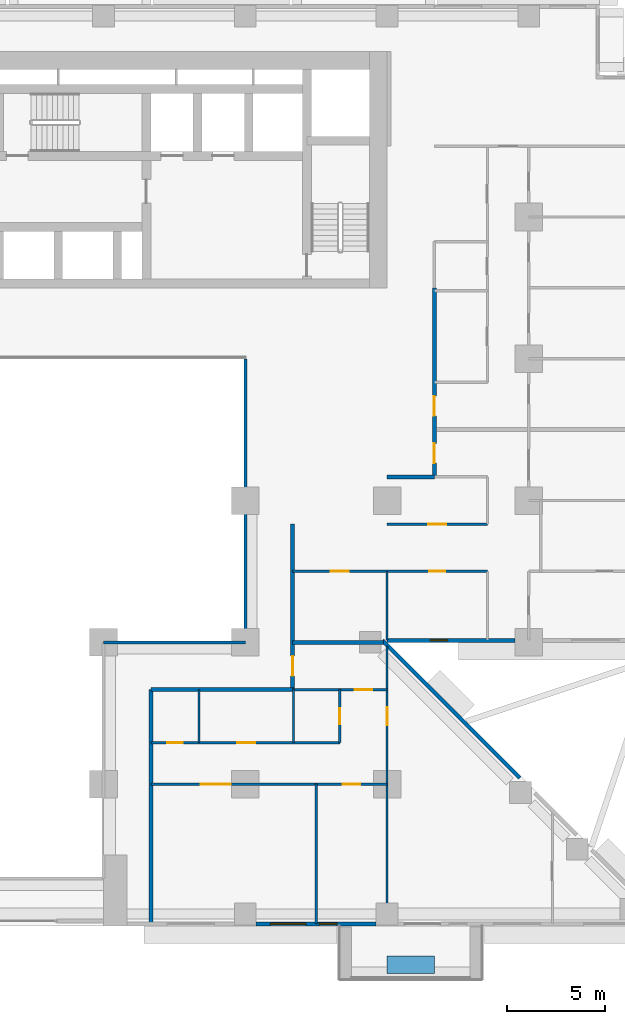
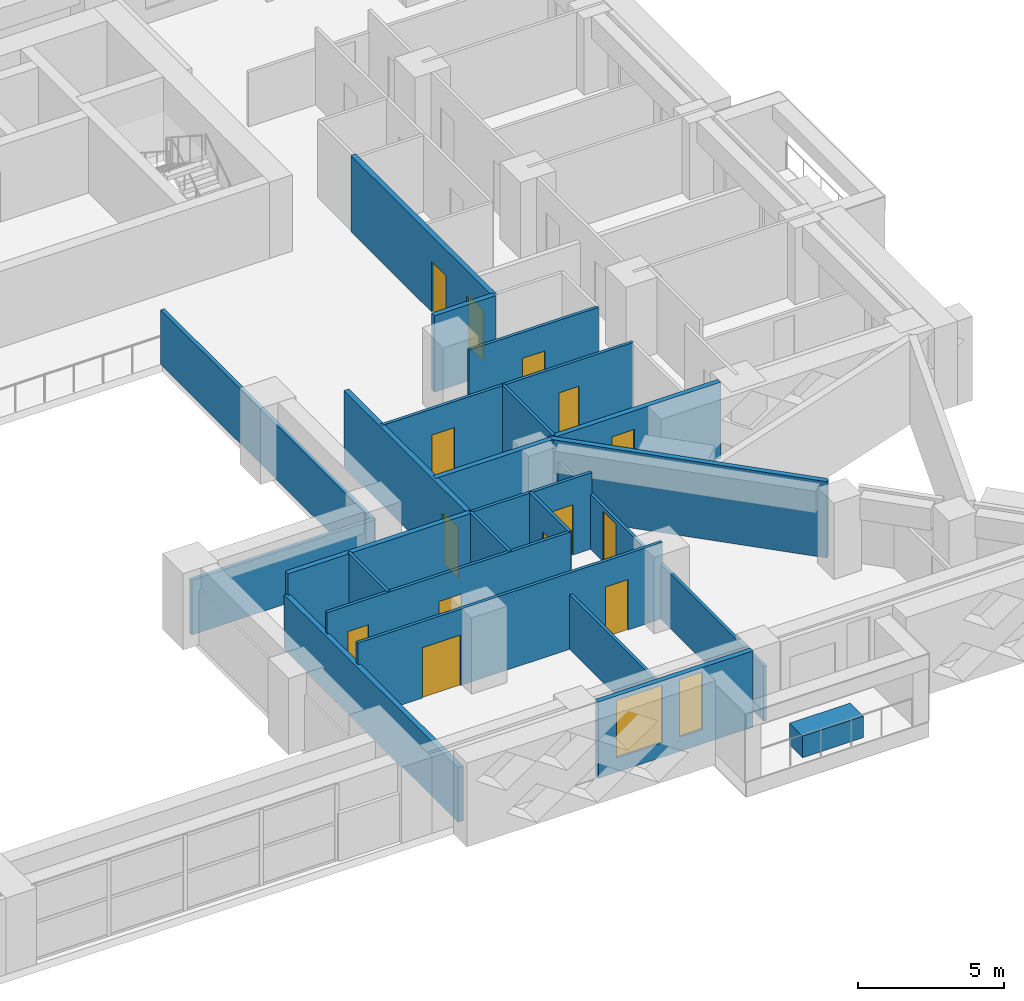
# One storey, part 8 of 16: 23 walls, 13 doors, 3 windows, 16 openings.
"""IFC4 building model written with IfcOpenShell, lengths in metres."""

import ifcopenshell
import ifcopenshell.guid

model = None  # the IFC model being written
_history = None  # IfcOwnerHistory: only IFC2X3 demands one
_inside = {}  # id of a spatial element -> (the spatial element, [elements in it])
_under = {}  # id of a project, library or spatial element -> (it, [spatial elements below it])
_declared = {}  # id of a project -> (the project, [libraries it declares])
_typed = {}  # id of a type object -> (the type object, [elements of that type])
_made_of = {}  # id of a material, layer set ... -> (it, [elements and type objects made of it])


def new_model(schema):
    """Start an empty IFC model of exactly this schema.

    Asked for "IFC4X3", IfcOpenShell would pick the latest addendum, in which some entities
    have other attributes; the version numbers below select the first issue.
    IFC2X3 requires an IfcOwnerHistory on every rooted entity: one is made here for all.
    """
    global model, _history
    if schema == "IFC4X3":
        model = ifcopenshell.file(schema_version=(4, 3, 0, 0))
    else:
        model = ifcopenshell.file(schema=schema)
    _inside.clear()
    _under.clear()
    _declared.clear()
    _typed.clear()
    _made_of.clear()
    _history = None
    if model.schema == "IFC2X3":
        org = make("IfcOrganization", Name="unknown")
        user = make(
            "IfcPersonAndOrganization",
            ThePerson=make("IfcPerson", FamilyName="unknown"),
            TheOrganization=org,
        )
        app = make(
            "IfcApplication",
            ApplicationDeveloper=org,
            Version="unknown",
            ApplicationFullName="unknown",
            ApplicationIdentifier="unknown",
        )
        _history = make(
            "IfcOwnerHistory",
            OwningUser=user,
            OwningApplication=app,
            ChangeAction="ADDED",
            CreationDate=0,
        )
    return model


def make(cls, **values):
    """One entity of the class cls with the attributes given. An attribute that is None is left unset."""
    return model.create_entity(
        cls, **{name: value for name, value in values.items() if value is not None}
    )


def rooted(cls, **values):
    """An entity with a GlobalId (a new one), such as an element, a storey or a relation."""
    return make(cls, GlobalId=ifcopenshell.guid.new(), OwnerHistory=_history, **values)


def si_unit(unit_type, name, prefix=None):
    """IfcSIUnit, for example si_unit("LENGTHUNIT", "METRE", prefix="MILLI")."""
    return make("IfcSIUnit", UnitType=unit_type, Prefix=prefix, Name=name)


def assignment(units):
    """IfcUnitAssignment: the units of a project."""
    return None if units is None else make("IfcUnitAssignment", Units=units)


def point(xyz):
    """IfcCartesianPoint."""
    return None if xyz is None else make("IfcCartesianPoint", Coordinates=xyz)


def direction(xyz):
    """IfcDirection."""
    return None if xyz is None else make("IfcDirection", DirectionRatios=xyz)


def frame(location, z_axis=None, x_axis=None):
    """IfcAxis2Placement3D, a coordinate frame: its origin and axes. An axis left out is left unset."""
    return make(
        "IfcAxis2Placement3D",
        Location=point(location),
        Axis=direction(z_axis),
        RefDirection=direction(x_axis),
    )


def frame_2d(location, x_axis=None):
    """IfcAxis2Placement2D, a coordinate frame in the plane: its origin and x axis."""
    return make(
        "IfcAxis2Placement2D", Location=point(location), RefDirection=direction(x_axis)
    )


def origin():
    """The frame at (0, 0, 0) with its axes left unset."""
    return frame((0.0, 0.0, 0.0))


def place(relative_to, where):
    """IfcLocalPlacement: puts the frame where relative to a parent placement (None: the world)."""
    return make(
        "IfcLocalPlacement", PlacementRelTo=relative_to, RelativePlacement=where
    )


def context(
    kind, dimensions, precision=None, world=None, true_north=None, identifier=None
):
    """IfcGeometricRepresentationContext, for example the 3D "Model" context."""
    return make(
        "IfcGeometricRepresentationContext",
        ContextIdentifier=identifier,
        ContextType=kind,
        CoordinateSpaceDimension=dimensions,
        Precision=precision,
        WorldCoordinateSystem=world,
        TrueNorth=true_north,
    )


def subcontext(parent, identifier, kind, view, scale=None):
    """IfcGeometricRepresentationSubContext, for example "Body" below "Model"."""
    return make(
        "IfcGeometricRepresentationSubContext",
        ContextIdentifier=identifier,
        ContextType=kind,
        ParentContext=parent,
        TargetScale=scale,
        TargetView=view,
    )


def project(units=None, contexts=None):
    """IfcProject with its units and contexts."""
    return rooted(
        "IfcProject",
        Name="project",
        RepresentationContexts=contexts,
        UnitsInContext=assignment(units),
    )


def spatial(cls, under=None, at=None, **own):
    """A site, building, storey or space (cls), placed at a placement, below another one or the project."""
    s = rooted(cls, ObjectPlacement=at, **own)
    if under is not None:
        _under.setdefault(under.id(), (under, []))[1].append(s)
    return s


def profile(cls, at=None, kind="AREA", **sizes):
    """A parametric profile (cls). Its sizes go by their IFC names, for example OverallWidth=200.0."""
    return make(cls, ProfileType=kind, Position=at, **sizes)


def rectangle(**sizes):
    """IfcRectangleProfileDef."""
    return profile("IfcRectangleProfileDef", **sizes)


def extrude(swept, where, along, depth):
    """IfcExtrudedAreaSolid: the profile swept, set in the frame where, extruded along a direction by depth."""
    return make(
        "IfcExtrudedAreaSolid",
        SweptArea=swept,
        Position=where,
        ExtrudedDirection=direction(along),
        Depth=depth,
    )


def shape(context_of_items, identifier, shape_type, items):
    """IfcShapeRepresentation: the items that make up one representation, for example the "Body"."""
    return make(
        "IfcShapeRepresentation",
        ContextOfItems=context_of_items,
        RepresentationIdentifier=identifier,
        RepresentationType=shape_type,
        Items=items,
    )


def material(Name=None, Category=None):
    """IfcMaterial."""
    return make("IfcMaterial", Name=Name, Category=Category)


def layer(
    of_material, thickness, ventilated=None, Name=None, Category=None, Priority=None
):
    """IfcMaterialLayer: one layer of a wall or slab, of a material (None: an air gap)."""
    return make(
        "IfcMaterialLayer",
        Material=of_material,
        LayerThickness=thickness,
        IsVentilated=ventilated,
        Name=Name,
        Category=Category,
        Priority=Priority,
    )


def layer_set(layers, Name=None):
    """IfcMaterialLayerSet."""
    return make("IfcMaterialLayerSet", MaterialLayers=layers, LayerSetName=Name)


def made_of(thing, what):
    """Note that an element or type object is made of a material, layer set ...; save() writes the relation."""
    if what is not None:
        _made_of.setdefault(what.id(), (what, []))[1].append(thing)
    return thing


def type_object(cls, material=None, **own):
    """A type object (cls), such as IfcWallType, which elements share."""
    return made_of(rooted(cls, **own), material)


def element(
    cls,
    number,
    at=None,
    inside=None,
    cuts=None,
    type_object=None,
    material=None,
    context=None,
    identifier="Body",
    shape_type=None,
    held_by="IfcProductDefinitionShape",
    body=None,
    shapes=None,
    **own,
):
    """One element of the class cls, such as IfcWall. Its Tag is "e" and its number.

    at: its placement. inside: the storey or other place that contains it. cuts: it is an
    opening in that element (IfcRelVoidsElement). A single representation is given by context,
    identifier, shape_type and body (its items); several are given by shapes. held_by: the class
    of the entity that holds the representations. save() writes the other relations.
    """
    e = rooted(cls, Tag="e%d" % number, ObjectPlacement=at, **own)
    if body is not None:
        shapes = [shape(context, identifier, shape_type, body)]
    if shapes is not None:
        e.Representation = make(held_by, Representations=shapes)
    if inside is not None:
        _inside.setdefault(inside.id(), (inside, []))[1].append(e)
    if cuts is not None:
        rooted(
            "IfcRelVoidsElement", RelatingBuildingElement=cuts, RelatedOpeningElement=e
        )
    if type_object is not None:
        _typed.setdefault(type_object.id(), (type_object, []))[1].append(e)
    return made_of(e, material)


def fill(opening, filler):
    """IfcRelFillsElement: the door or window that sits in an opening."""
    return rooted(
        "IfcRelFillsElement",
        RelatingOpeningElement=opening,
        RelatedBuildingElement=filler,
    )


def aggregate(whole, parts):
    """IfcRelAggregates: a whole, such as a stair, and the parts it consists of."""
    return rooted("IfcRelAggregates", RelatingObject=whole, RelatedObjects=parts)


def save(model, path):
    """Write the relations noted so far, then the file.

    IfcRelAggregates (storeys below a building ...), IfcRelContainedInSpatialStructure (elements
    in a storey), IfcRelDefinesByType, IfcRelAssociatesMaterial and IfcRelDeclares: one each for
    every whole, place, type object, material and project.
    """
    for whole, parts in _under.values():
        aggregate(whole, parts)
    for where, things in _inside.values():
        rooted(
            "IfcRelContainedInSpatialStructure",
            RelatedElements=things,
            RelatingStructure=where,
        )
    for kind, things in _typed.values():
        rooted("IfcRelDefinesByType", RelatedObjects=things, RelatingType=kind)
    for what, things in _made_of.values():
        rooted("IfcRelAssociatesMaterial", RelatedObjects=things, RelatingMaterial=what)
    for by, libraries in _declared.values():
        rooted("IfcRelDeclares", RelatingContext=by, RelatedDefinitions=libraries)
    model.write(path)


model = new_model("IFC4")

# Units and contexts
model_context = context("Model", 3, precision=1e-05, world=origin(), true_north=direction((0.0, 1.0)))
body_context = subcontext(model_context, "Body", "Model", "MODEL_VIEW")
ifc_project = project(units=[si_unit("LENGTHUNIT", "METRE"), si_unit("AREAUNIT", "SQUARE_METRE"), si_unit("VOLUMEUNIT", "CUBIC_METRE"), si_unit("PLANEANGLEUNIT", "RADIAN"), si_unit("MASSUNIT", "GRAM", prefix="KILO")], contexts=[model_context])

# Site, building, storey
site_placement = place(None, origin())
site = spatial("IfcSite", under=ifc_project, at=site_placement, CompositionType="ELEMENT")
building_placement = place(site_placement, origin())
building = spatial("IfcBuilding", under=site, at=building_placement, Name="Saffron Iwan Residences", CompositionType="ELEMENT")
storey_placement = place(building_placement, frame((0.0, 0.0, 30.5)))
storey = spatial("IfcBuildingStorey", under=building, at=storey_placement, Name="L06", CompositionType="ELEMENT", Elevation=30.5)

# Walls
ifc_material_1 = material(Name="Fire-rated glazing", Category="glass")
ifc_layer_1 = layer(ifc_material_1, 0.14990234375)
ifc_layer_set_1 = layer_set([ifc_layer_1], Name="Fire-rated glazing")
wall_type_1 = type_object("IfcWallType", Name="Atrium glazed screen 150", PredefinedType="SOLIDWALL", material=ifc_layer_set_1)
wall_1_placement = place(storey_placement, frame((57.60009765625, 48.0, 0.0), z_axis=(0.0, 0.0, 1.0), x_axis=(1.0, 0.0, 0.0)))
element("IfcWall", 1, at=wall_1_placement, inside=storey, type_object=wall_type_1, Name="W-L06-SCREEN-h48-57.6", PredefinedType="SOLIDWALL", context=body_context, shape_type="SweptSolid", body=[
    extrude(rectangle(XDim=7.199951171875, YDim=0.14990234375, at=frame_2d((3.60009765625, 0.0))), origin(), (0.0, 0.0, 1.0), 2.280029296875),
])
wall_2_placement = place(storey_placement, frame((64.800048828125, 48.0, 0.0), z_axis=(0.0, 0.0, 1.0), x_axis=(0.0, 1.0, 0.0)))
element("IfcWall", 2, at=wall_2_placement, inside=storey, type_object=wall_type_1, Name="W-L06-SCREEN-v64.8-48", PredefinedType="SOLIDWALL", context=body_context, shape_type="SweptSolid", body=[
    extrude(rectangle(XDim=14.39990234375, YDim=0.14990234375, at=frame_2d((7.199951171875, 0.0))), origin(), (0.0, 0.0, 1.0), 2.280029296875),
])
ifc_material_2 = material(Name="Concrete C35/45 white painted", Category="concrete")
ifc_layer_2 = layer(ifc_material_2, 0.14990234375)
ifc_layer_set_2 = layer_set([ifc_layer_2], Name="Concrete C35/45 white painted")
wall_type_2 = type_object("IfcWallType", Name="BALCONY PLANTER", PredefinedType="SOLIDWALL", material=ifc_layer_set_2)
wall_3_placement = place(storey_placement, frame((72.0, 31.625, 0.0), z_axis=(0.0, 0.0, 1.0), x_axis=(1.0, 0.0, 0.0)))
element("IfcWall", 3, at=wall_3_placement, inside=storey, type_object=wall_type_2, Name="PLANTER L06 11-1", PredefinedType="SOLIDWALL", context=body_context, shape_type="SweptSolid", body=[
    extrude(rectangle(XDim=2.39990234375, YDim=0.89990234375, at=frame_2d((1.199951171875, 0.0))), origin(), (0.0, 0.0, 1.0), 0.89990234375),
])
ifc_material_3 = material(Name="Concrete C40/50", Category="concrete")
ifc_layer_3 = layer(ifc_material_3, 0.199951171875)
ifc_layer_set_3 = layer_set([ifc_layer_3], Name="Concrete C40/50")
wall_type_3 = type_object("IfcWallType", Name="EXTERNAL WALL 200", PredefinedType="SOLIDWALL", material=ifc_layer_set_3)
wall_4_placement = place(storey_placement, frame((78.740478515625, 41.1181640625, 0.0), z_axis=(0.0, 0.0, 1.0), x_axis=(-0.707106781187, 0.707106781187, 0.0)))
element("IfcWall", 4, at=wall_4_placement, inside=storey, type_object=wall_type_3, Name="External wall L06 F0.2", PredefinedType="SOLIDWALL", context=body_context, shape_type="SweptSolid", body=[
    extrude(rectangle(XDim=9.8740234375, YDim=0.199951171875, at=frame_2d((4.93701171875, 0.0))), origin(), (0.0, 0.0, 1.0), 3.179931640625),
])

# Wall, opening, window
wall_5_placement = place(storey_placement, frame((71.988525390625, 48.10009765625, 0.0), z_axis=(0.0, 0.0, 1.0), x_axis=(1.0, 0.0, 0.0)))
wall_5 = element("IfcWall", 5, at=wall_5_placement, inside=storey, type_object=wall_type_3, Name="External wall L06 F1.0", PredefinedType="SOLIDWALL", context=body_context, shape_type="SweptSolid", body=[
    extrude(rectangle(XDim=6.511474609375, YDim=0.199951171875, at=frame_2d((3.255859375, 0.0))), origin(), (0.0, 0.0, 1.0), 3.179931640625),
])
opening_1_placement = place(wall_5_placement, frame((2.205810546875, 0.0, 1.5)))
opening_1 = element("IfcOpeningElement", 6, at=opening_1_placement, cuts=wall_5, Name="Opening W6", PredefinedType="OPENING", context=body_context, shape_type="SweptSolid", body=[
    extrude(rectangle(XDim=0.89990234375, YDim=0.89990234375, at=frame_2d((0.449951171875, 0.449951171875))), frame((0.0, 0.10986328125, 0.0), z_axis=(0.0, -1.0, 0.0), x_axis=(1.0, 0.0, 0.0)), (0.0, 0.0, 1.0), 0.219970703125),
])
ifc_material_4 = material(Name="Clear glass, laminated double glazed", Category="glass")
window_type_1 = type_object("IfcWindowType", Name="WINDOW 900 x 900 BATH", PartitioningType="SINGLE_PANEL", PredefinedType="WINDOW", material=ifc_material_4)
window_1_placement = place(opening_1_placement, origin())
window_1 = element("IfcWindow", 7, at=window_1_placement, inside=storey, type_object=window_type_1, Name="Window L06 F1.0", OverallHeight=0.89990234375, OverallWidth=0.89990234375, PartitioningType="SINGLE_PANEL", PredefinedType="WINDOW", context=body_context, shape_type="SweptSolid", body=[
    extrude(rectangle(XDim=0.89990234375, YDim=0.89990234375, at=frame_2d((0.449951171875, 0.449951171875))), frame((0.0, 0.030029296875, 0.0), z_axis=(0.0, -1.0, 0.0), x_axis=(1.0, 0.0, 0.0)), (0.0, 0.0, 1.0), 0.06005859375),
])
fill(opening_1, window_1)

# Wall, openings, windows
wall_6_placement = place(storey_placement, frame((65.35009765625, 33.699951171875, 0.0), z_axis=(0.0, 0.0, 1.0), x_axis=(1.0, 0.0, 0.0)))
wall_6 = element("IfcWall", 8, at=wall_6_placement, inside=storey, type_object=wall_type_3, Name="External wall L06 F11.5", PredefinedType="SOLIDWALL", context=body_context, shape_type="SweptSolid", body=[
    extrude(rectangle(XDim=6.099853515625, YDim=0.199951171875, at=frame_2d((3.0498046875, 0.0))), origin(), (0.0, 0.0, 1.0), 3.179931640625),
])
opening_2_placement = place(wall_6_placement, frame((3.199951171875, 0.0, 0.60009765625)))
opening_2 = element("IfcOpeningElement", 9, at=opening_2_placement, cuts=wall_6, Name="Opening W10", PredefinedType="OPENING", context=body_context, shape_type="SweptSolid", body=[
    extrude(rectangle(XDim=0.89990234375, YDim=2.39990234375, at=frame_2d((0.449951171875, 1.199951171875))), frame((0.0, 0.10986328125, 0.0), z_axis=(0.0, -1.0, 0.0), x_axis=(1.0, 0.0, 0.0)), (0.0, 0.0, 1.0), 0.219970703125),
])
opening_3_placement = place(wall_6_placement, frame((0.72509765625, 0.0, 0.60009765625)))
opening_3 = element("IfcOpeningElement", 10, at=opening_3_placement, cuts=wall_6, Name="Opening W8", PredefinedType="OPENING", context=body_context, shape_type="SweptSolid", body=[
    extrude(rectangle(XDim=1.800048828125, YDim=2.39990234375, at=frame_2d((0.89990234375, 1.199951171875))), frame((0.0, 0.10986328125, 0.0), z_axis=(0.0, -1.0, 0.0), x_axis=(1.0, 0.0, 0.0)), (0.0, 0.0, 1.0), 0.219970703125),
])
window_type_2 = type_object("IfcWindowType", Name="WINDOW 1800 x 2400", PartitioningType="DOUBLE_PANEL_VERTICAL", PredefinedType="WINDOW", material=ifc_material_4)
window_2_placement = place(opening_3_placement, origin())
window_2 = element("IfcWindow", 11, at=window_2_placement, inside=storey, type_object=window_type_2, Name="Window L06 F11.1", OverallHeight=2.39990234375, OverallWidth=1.800048828125, PartitioningType="DOUBLE_PANEL_VERTICAL", PredefinedType="WINDOW", context=body_context, shape_type="SweptSolid", body=[
    extrude(rectangle(XDim=1.800048828125, YDim=2.39990234375, at=frame_2d((0.89990234375, 1.199951171875))), frame((0.0, 0.030029296875, 0.0), z_axis=(0.0, -1.0, 0.0), x_axis=(1.0, 0.0, 0.0)), (0.0, 0.0, 1.0), 0.06005859375),
])
fill(opening_3, window_2)
window_type_3 = type_object("IfcWindowType", Name="WINDOW 900 x 2400", PartitioningType="SINGLE_PANEL", PredefinedType="WINDOW", material=ifc_material_4)
window_3_placement = place(opening_2_placement, origin())
window_3 = element("IfcWindow", 12, at=window_3_placement, inside=storey, type_object=window_type_3, Name="Window L06 F11.0", OverallHeight=2.39990234375, OverallWidth=0.89990234375, PartitioningType="SINGLE_PANEL", PredefinedType="WINDOW", context=body_context, shape_type="SweptSolid", body=[
    extrude(rectangle(XDim=0.89990234375, YDim=2.39990234375, at=frame_2d((0.449951171875, 1.199951171875))), frame((0.0, 0.030029296875, 0.0), z_axis=(0.0, -1.0, 0.0), x_axis=(1.0, 0.0, 0.0)), (0.0, 0.0, 1.0), 0.06005859375),
])
fill(opening_2, window_3)

# Wall
ifc_material_5 = material(Name="Fire-rated gypsum board wall")
ifc_layer_4 = layer(ifc_material_5, 0.199951171875)
ifc_layer_set_4 = layer_set([ifc_layer_4], Name="Fire-rated gypsum board wall")
wall_type_4 = type_object("IfcWallType", Name="Flat demising wall 200", PredefinedType="SOLIDWALL", material=ifc_layer_set_4)
wall_7_placement = place(storey_placement, frame((67.199951171875, 48.0, 0.0), z_axis=(0.0, 0.0, 1.0), x_axis=(1.0, 0.0, 0.0)))
element("IfcWall", 13, at=wall_7_placement, inside=storey, type_object=wall_type_4, Name="W-L06-DEMISE-h48-67.2", PredefinedType="SOLIDWALL", context=body_context, shape_type="SweptSolid", body=[
    extrude(rectangle(XDim=4.623046875, YDim=0.199951171875, at=frame_2d((2.3115234375, 0.0))), origin(), (0.0, 0.0, 1.0), 3.179931640625),
])

# Wall, openings, doors
ifc_material_6 = material(Name="Gypsum board partition")
ifc_layer_5 = layer(ifc_material_6, 0.1201171875)
ifc_layer_set_5 = layer_set([ifc_layer_5], Name="Gypsum board partition")
wall_type_5 = type_object("IfcWallType", Name="Flat partition 120", PredefinedType="PARTITIONING", material=ifc_layer_set_5)
wall_8_placement = place(storey_placement, frame((60.0, 40.800048828125, 0.0), z_axis=(0.0, 0.0, 1.0), x_axis=(1.0, 0.0, 0.0)))
wall_8 = element("IfcWall", 14, at=wall_8_placement, inside=storey, type_object=wall_type_5, Name="W-L06-PART-h40.8-60", PredefinedType="PARTITIONING", context=body_context, shape_type="SweptSolid", body=[
    extrude(rectangle(XDim=12.0, YDim=0.1201171875, at=frame_2d((6.0, 0.0))), origin(), (0.0, 0.0, 1.0), 3.179931640625),
])
opening_4_placement = place(wall_8_placement, frame((9.75, 0.0, 0.0)))
opening_4 = element("IfcOpeningElement", 15, at=opening_4_placement, cuts=wall_8, Name="Opening FD2", PredefinedType="OPENING", context=body_context, shape_type="SweptSolid", body=[
    extrude(rectangle(XDim=0.89990234375, YDim=2.10009765625, at=frame_2d((0.449951171875, 1.050048828125))), frame((0.0, 0.070068359375, 0.0), z_axis=(0.0, -1.0, 0.0), x_axis=(1.0, 0.0, 0.0)), (0.0, 0.0, 1.0), 0.14013671875),
])
opening_5_placement = place(wall_8_placement, frame((2.550048828125, 0.0, 0.0)))
opening_5 = element("IfcOpeningElement", 16, at=opening_5_placement, cuts=wall_8, Name="Opening FD4", PredefinedType="OPENING", context=body_context, shape_type="SweptSolid", body=[
    extrude(rectangle(XDim=1.5, YDim=2.10009765625, at=frame_2d((0.75, 1.050048828125))), frame((0.0, 0.070068359375, 0.0), z_axis=(0.0, -1.0, 0.0), x_axis=(1.0, 0.0, 0.0)), (0.0, 0.0, 1.0), 0.14013671875),
])
ifc_material_7 = material(Name="Timber door", Category="wood")
door_type_1 = type_object("IfcDoorType", Name="Double door 1500", OperationType="NOTDEFINED", PredefinedType="DOOR", material=ifc_material_7)
door_1_placement = place(opening_5_placement, origin())
door_1 = element("IfcDoor", 17, at=door_1_placement, inside=storey, type_object=door_type_1, Name="Door L06-047", OperationType="SINGLE_SWING_RIGHT", OverallHeight=2.10009765625, OverallWidth=1.5, PredefinedType="DOOR", context=body_context, shape_type="SweptSolid", body=[
    extrude(rectangle(XDim=1.5, YDim=2.10009765625, at=frame_2d((0.75, 1.050048828125))), frame((0.0, 0.02490234375, 0.0), z_axis=(0.0, -1.0, 0.0), x_axis=(1.0, 0.0, 0.0)), (0.0, 0.0, 1.0), 0.050048828125),
])
fill(opening_5, door_1)
door_type_2 = type_object("IfcDoorType", Name="Flat door 900", OperationType="NOTDEFINED", PredefinedType="DOOR", material=ifc_material_7)
door_2_placement = place(opening_4_placement, origin())
door_2 = element("IfcDoor", 18, at=door_2_placement, inside=storey, type_object=door_type_2, Name="Door L06-046", OperationType="SINGLE_SWING_RIGHT", OverallHeight=2.10009765625, OverallWidth=0.89990234375, PredefinedType="DOOR", context=body_context, shape_type="SweptSolid", body=[
    extrude(rectangle(XDim=0.89990234375, YDim=2.10009765625, at=frame_2d((0.449951171875, 1.050048828125))), frame((0.0, 0.02490234375, 0.0), z_axis=(0.0, -1.0, 0.0), x_axis=(1.0, 0.0, 0.0)), (0.0, 0.0, 1.0), 0.050048828125),
])
fill(opening_4, door_2)

wall_9_placement = place(storey_placement, frame((60.0, 42.89990234375, 0.0), z_axis=(0.0, 0.0, 1.0), x_axis=(1.0, 0.0, 0.0)))
wall_9 = element("IfcWall", 19, at=wall_9_placement, inside=storey, type_object=wall_type_5, Name="W-L06-PART-h42.9-60", PredefinedType="PARTITIONING", context=body_context, shape_type="SweptSolid", body=[
    extrude(rectangle(XDim=9.60009765625, YDim=0.1201171875, at=frame_2d((4.800048828125, 0.0))), origin(), (0.0, 0.0, 1.0), 3.179931640625),
])
opening_6_placement = place(wall_9_placement, frame((4.39990234375, 0.0, 0.0)))
opening_6 = element("IfcOpeningElement", 20, at=opening_6_placement, cuts=wall_9, Name="Opening FD2", PredefinedType="OPENING", context=body_context, shape_type="SweptSolid", body=[
    extrude(rectangle(XDim=0.89990234375, YDim=2.10009765625, at=frame_2d((0.449951171875, 1.050048828125))), frame((0.0, 0.070068359375, 0.0), z_axis=(0.0, -1.0, 0.0), x_axis=(1.0, 0.0, 0.0)), (0.0, 0.0, 1.0), 0.14013671875),
])
opening_7_placement = place(wall_9_placement, frame((0.824951171875, 0.0, 0.0)))
opening_7 = element("IfcOpeningElement", 21, at=opening_7_placement, cuts=wall_9, Name="Opening FD3", PredefinedType="OPENING", context=body_context, shape_type="SweptSolid", body=[
    extrude(rectangle(XDim=0.800048828125, YDim=2.10009765625, at=frame_2d((0.39990234375, 1.050048828125))), frame((0.0, 0.070068359375, 0.0), z_axis=(0.0, -1.0, 0.0), x_axis=(1.0, 0.0, 0.0)), (0.0, 0.0, 1.0), 0.14013671875),
])
door_type_3 = type_object("IfcDoorType", Name="Bathroom door 800", OperationType="NOTDEFINED", PredefinedType="DOOR", material=ifc_material_7)
door_3_placement = place(opening_7_placement, origin())
door_3 = element("IfcDoor", 22, at=door_3_placement, inside=storey, type_object=door_type_3, Name="Door L06-050", OperationType="SINGLE_SWING_LEFT", OverallHeight=2.10009765625, OverallWidth=0.800048828125, PredefinedType="DOOR", context=body_context, shape_type="SweptSolid", body=[
    extrude(rectangle(XDim=0.800048828125, YDim=2.10009765625, at=frame_2d((0.39990234375, 1.050048828125))), frame((0.0, 0.02490234375, 0.0), z_axis=(0.0, -1.0, 0.0), x_axis=(1.0, 0.0, 0.0)), (0.0, 0.0, 1.0), 0.050048828125),
])
fill(opening_7, door_3)
door_4_placement = place(opening_6_placement, origin())
door_4 = element("IfcDoor", 23, at=door_4_placement, inside=storey, type_object=door_type_2, Name="Door L06-049", OperationType="SINGLE_SWING_RIGHT", OverallHeight=2.10009765625, OverallWidth=0.89990234375, PredefinedType="DOOR", context=body_context, shape_type="SweptSolid", body=[
    extrude(rectangle(XDim=0.89990234375, YDim=2.10009765625, at=frame_2d((0.449951171875, 1.050048828125))), frame((0.0, 0.02490234375, 0.0), z_axis=(0.0, -1.0, 0.0), x_axis=(1.0, 0.0, 0.0)), (0.0, 0.0, 1.0), 0.050048828125),
])
fill(opening_6, door_4)

# Wall, opening, door
wall_10_placement = place(storey_placement, frame((67.199951171875, 45.60009765625, 0.0), z_axis=(0.0, 0.0, 1.0), x_axis=(1.0, 0.0, 0.0)))
wall_10 = element("IfcWall", 24, at=wall_10_placement, inside=storey, type_object=wall_type_5, Name="W-L06-PART-h45.6-67.2", PredefinedType="PARTITIONING", context=body_context, shape_type="SweptSolid", body=[
    extrude(rectangle(XDim=4.800048828125, YDim=0.1201171875, at=frame_2d((2.39990234375, 0.0))), origin(), (0.0, 0.0, 1.0), 3.179931640625),
])
opening_8_placement = place(wall_10_placement, frame((3.14990234375, 0.0, 0.0)))
opening_8 = element("IfcOpeningElement", 25, at=opening_8_placement, cuts=wall_10, Name="Opening FD2", PredefinedType="OPENING", context=body_context, shape_type="SweptSolid", body=[
    extrude(rectangle(XDim=0.89990234375, YDim=2.10009765625, at=frame_2d((0.449951171875, 1.050048828125))), frame((0.0, 0.070068359375, 0.0), z_axis=(0.0, -1.0, 0.0), x_axis=(1.0, 0.0, 0.0)), (0.0, 0.0, 1.0), 0.14013671875),
])
door_5_placement = place(opening_8_placement, origin())
door_5 = element("IfcDoor", 26, at=door_5_placement, inside=storey, type_object=door_type_2, Name="Door L06-044", OperationType="SINGLE_SWING_LEFT", OverallHeight=2.10009765625, OverallWidth=0.89990234375, PredefinedType="DOOR", context=body_context, shape_type="SweptSolid", body=[
    extrude(rectangle(XDim=0.89990234375, YDim=2.10009765625, at=frame_2d((0.449951171875, 1.050048828125))), frame((0.0, 0.02490234375, 0.0), z_axis=(0.0, -1.0, 0.0), x_axis=(1.0, 0.0, 0.0)), (0.0, 0.0, 1.0), 0.050048828125),
])
fill(opening_8, door_5)

# Wall, openings, doors
wall_11_placement = place(storey_placement, frame((67.199951171875, 51.60009765625, 0.0), z_axis=(0.0, 0.0, 1.0), x_axis=(1.0, 0.0, 0.0)))
wall_11 = element("IfcWall", 27, at=wall_11_placement, inside=storey, type_object=wall_type_5, Name="W-L06-PART-h51.6-67.2", PredefinedType="PARTITIONING", context=body_context, shape_type="SweptSolid", body=[
    extrude(rectangle(XDim=9.900146484375, YDim=0.1201171875, at=frame_2d((4.9501953125, 0.0))), origin(), (0.0, 0.0, 1.0), 3.179931640625),
])
opening_9_placement = place(wall_11_placement, frame((6.949951171875, 0.0, 0.0)))
opening_9 = element("IfcOpeningElement", 28, at=opening_9_placement, cuts=wall_11, Name="Opening FD3", PredefinedType="OPENING", context=body_context, shape_type="SweptSolid", body=[
    extrude(rectangle(XDim=0.800048828125, YDim=2.10009765625, at=frame_2d((0.39990234375, 1.050048828125))), frame((0.0, 0.070068359375, 0.0), z_axis=(0.0, -1.0, 0.0), x_axis=(1.0, 0.0, 0.0)), (0.0, 0.0, 1.0), 0.14013671875),
])
opening_10_placement = place(wall_11_placement, frame((1.949951171875, 0.0, 0.0)))
opening_10 = element("IfcOpeningElement", 29, at=opening_10_placement, cuts=wall_11, Name="Opening FD2", PredefinedType="OPENING", context=body_context, shape_type="SweptSolid", body=[
    extrude(rectangle(XDim=0.89990234375, YDim=2.10009765625, at=frame_2d((0.449951171875, 1.050048828125))), frame((0.0, 0.070068359375, 0.0), z_axis=(0.0, -1.0, 0.0), x_axis=(1.0, 0.0, 0.0)), (0.0, 0.0, 1.0), 0.14013671875),
])
door_6_placement = place(opening_9_placement, origin())
door_6 = element("IfcDoor", 30, at=door_6_placement, inside=storey, type_object=door_type_3, Name="Door L06-025", OperationType="SINGLE_SWING_RIGHT", OverallHeight=2.10009765625, OverallWidth=0.800048828125, PredefinedType="DOOR", context=body_context, shape_type="SweptSolid", body=[
    extrude(rectangle(XDim=0.800048828125, YDim=2.10009765625, at=frame_2d((0.39990234375, 1.050048828125))), frame((0.0, 0.02490234375, 0.0), z_axis=(0.0, -1.0, 0.0), x_axis=(1.0, 0.0, 0.0)), (0.0, 0.0, 1.0), 0.050048828125),
])
fill(opening_9, door_6)
door_7_placement = place(opening_10_placement, origin())
door_7 = element("IfcDoor", 31, at=door_7_placement, inside=storey, type_object=door_type_2, Name="Door L06-027", OperationType="SINGLE_SWING_LEFT", OverallHeight=2.10009765625, OverallWidth=0.89990234375, PredefinedType="DOOR", context=body_context, shape_type="SweptSolid", body=[
    extrude(rectangle(XDim=0.89990234375, YDim=2.10009765625, at=frame_2d((0.449951171875, 1.050048828125))), frame((0.0, 0.02490234375, 0.0), z_axis=(0.0, -1.0, 0.0), x_axis=(1.0, 0.0, 0.0)), (0.0, 0.0, 1.0), 0.050048828125),
])
fill(opening_10, door_7)

# Wall, opening, door
wall_12_placement = place(storey_placement, frame((72.0, 54.0, 0.0), z_axis=(0.0, 0.0, 1.0), x_axis=(1.0, 0.0, 0.0)))
wall_12 = element("IfcWall", 32, at=wall_12_placement, inside=storey, type_object=wall_type_5, Name="W-L06-PART-h54-72", PredefinedType="PARTITIONING", context=body_context, shape_type="SweptSolid", body=[
    extrude(rectangle(XDim=5.10009765625, YDim=0.1201171875, at=frame_2d((2.550048828125, 0.0))), origin(), (0.0, 0.0, 1.0), 3.179931640625),
])
opening_11_placement = place(wall_12_placement, frame((2.10009765625, 0.0, 0.0)))
opening_11 = element("IfcOpeningElement", 33, at=opening_11_placement, cuts=wall_12, Name="Opening FD2", PredefinedType="OPENING", context=body_context, shape_type="SweptSolid", body=[
    extrude(rectangle(XDim=0.89990234375, YDim=2.10009765625, at=frame_2d((0.449951171875, 1.050048828125))), frame((0.0, 0.070068359375, 0.0), z_axis=(0.0, -1.0, 0.0), x_axis=(1.0, 0.0, 0.0)), (0.0, 0.0, 1.0), 0.14013671875),
])
door_8_placement = place(opening_11_placement, origin())
door_8 = element("IfcDoor", 34, at=door_8_placement, inside=storey, type_object=door_type_2, Name="Door L06-026", OperationType="SINGLE_SWING_LEFT", OverallHeight=2.10009765625, OverallWidth=0.89990234375, PredefinedType="DOOR", context=body_context, shape_type="SweptSolid", body=[
    extrude(rectangle(XDim=0.89990234375, YDim=2.10009765625, at=frame_2d((0.449951171875, 1.050048828125))), frame((0.0, 0.02490234375, 0.0), z_axis=(0.0, -1.0, 0.0), x_axis=(1.0, 0.0, 0.0)), (0.0, 0.0, 1.0), 0.050048828125),
])
fill(opening_11, door_8)

# Walls
for number, where, z_axis, x_axis, name in (
    (35, (62.449951171875, 42.89990234375, 0.0), (0.0, 0.0, 1.0), (0.0, 1.0, 0.0), "W-L06-PART-v62.45-42.9"),
    (36, (67.25, 42.89990234375, 0.0), (0.0, 0.0, 1.0), (0.0, 1.0, 0.0), "W-L06-PART-v67.25-42.9"),
):
    element("IfcWall", number, at=place(storey_placement, frame(where, z_axis=z_axis, x_axis=x_axis)), inside=storey, type_object=wall_type_5, Name=name, PredefinedType="PARTITIONING", context=body_context, shape_type="SweptSolid", body=[
        extrude(rectangle(XDim=2.7001953125, YDim=0.1201171875, at=frame_2d((1.35009765625, 0.0))), origin(), (0.0, 0.0, 1.0), 3.179931640625),
    ])
wall_13_placement = place(storey_placement, frame((68.39990234375, 33.72509765625, 0.0), z_axis=(0.0, 0.0, 1.0), x_axis=(0.0, 1.0, 0.0)))
element("IfcWall", 37, at=wall_13_placement, inside=storey, type_object=wall_type_5, Name="W-L06-PART-v68.4-33.725", PredefinedType="PARTITIONING", context=body_context, shape_type="SweptSolid", body=[
    extrude(rectangle(XDim=7.074951171875, YDim=0.1201171875, at=frame_2d((3.53759765625, 0.0))), origin(), (0.0, 0.0, 1.0), 2.280029296875),
])

# Wall, opening, door
wall_14_placement = place(storey_placement, frame((69.60009765625, 42.89990234375, 0.0), z_axis=(0.0, 0.0, 1.0), x_axis=(0.0, 1.0, 0.0)))
wall_14 = element("IfcWall", 38, at=wall_14_placement, inside=storey, type_object=wall_type_5, Name="W-L06-PART-v69.6-42.9", PredefinedType="PARTITIONING", context=body_context, shape_type="SweptSolid", body=[
    extrude(rectangle(XDim=2.7001953125, YDim=0.1201171875, at=frame_2d((1.35009765625, 0.0))), origin(), (0.0, 0.0, 1.0), 3.179931640625),
])
opening_12_placement = place(wall_14_placement, frame((0.949951171875, 0.0, 0.0)))
opening_12 = element("IfcOpeningElement", 39, at=opening_12_placement, cuts=wall_14, Name="Opening FD3", PredefinedType="OPENING", context=body_context, shape_type="SweptSolid", body=[
    extrude(rectangle(XDim=0.800048828125, YDim=2.10009765625, at=frame_2d((0.39990234375, 1.050048828125))), frame((0.0, 0.070068359375, 0.0), z_axis=(0.0, -1.0, 0.0), x_axis=(1.0, 0.0, 0.0)), (0.0, 0.0, 1.0), 0.14013671875),
])
door_9_placement = place(opening_12_placement, origin())
door_9 = element("IfcDoor", 40, at=door_9_placement, inside=storey, type_object=door_type_3, Name="Door L06-048", OperationType="SINGLE_SWING_LEFT", OverallHeight=2.10009765625, OverallWidth=0.800048828125, PredefinedType="DOOR", context=body_context, shape_type="SweptSolid", body=[
    extrude(rectangle(XDim=0.800048828125, YDim=2.10009765625, at=frame_2d((0.39990234375, 1.050048828125))), frame((0.0, 0.02490234375, 0.0), z_axis=(0.0, -1.0, 0.0), x_axis=(1.0, 0.0, 0.0)), (0.0, 0.0, 1.0), 0.050048828125),
])
fill(opening_12, door_9)

wall_15_placement = place(storey_placement, frame((72.0, 33.72509765625, 0.0), z_axis=(0.0, 0.0, 1.0), x_axis=(0.0, 1.0, 0.0)))
wall_15 = element("IfcWall", 41, at=wall_15_placement, inside=storey, type_object=wall_type_5, Name="W-L06-PART-v72-33.725", PredefinedType="PARTITIONING", context=body_context, shape_type="SweptSolid", body=[
    extrude(rectangle(XDim=14.097900390625, YDim=0.1201171875, at=frame_2d((7.048828125, 0.0))), origin(), (0.0, 0.0, 1.0), 2.280029296875),
])
opening_13_placement = place(wall_15_placement, frame((10.074951171875, 0.0, 0.0)))
opening_13 = element("IfcOpeningElement", 42, at=opening_13_placement, cuts=wall_15, Name="Opening FD2", PredefinedType="OPENING", context=body_context, shape_type="SweptSolid", body=[
    extrude(rectangle(XDim=0.89990234375, YDim=2.10009765625, at=frame_2d((0.449951171875, 1.050048828125))), frame((0.0, 0.070068359375, 0.0), z_axis=(0.0, -1.0, 0.0), x_axis=(1.0, 0.0, 0.0)), (0.0, 0.0, 1.0), 0.14013671875),
])
door_10_placement = place(opening_13_placement, origin())
door_10 = element("IfcDoor", 43, at=door_10_placement, inside=storey, type_object=door_type_2, Name="Door L06-051", OperationType="SINGLE_SWING_LEFT", OverallHeight=2.10009765625, OverallWidth=0.89990234375, PredefinedType="DOOR", context=body_context, shape_type="SweptSolid", body=[
    extrude(rectangle(XDim=0.89990234375, YDim=2.10009765625, at=frame_2d((0.449951171875, 1.050048828125))), frame((0.0, 0.02490234375, 0.0), z_axis=(0.0, -1.0, 0.0), x_axis=(1.0, 0.0, 0.0)), (0.0, 0.0, 1.0), 0.050048828125),
])
fill(opening_13, door_10)

# Walls
wall_16_placement = place(storey_placement, frame((72.0, 48.125, 0.0), z_axis=(0.0, 0.0, 1.0), x_axis=(0.0, 1.0, 0.0)))
element("IfcWall", 44, at=wall_16_placement, inside=storey, type_object=wall_type_5, Name="W-L06-PART-v72-48.125", PredefinedType="PARTITIONING", context=body_context, shape_type="SweptSolid", body=[
    extrude(rectangle(XDim=3.47509765625, YDim=0.1201171875, at=frame_2d((1.737548828125, 0.0))), origin(), (0.0, 0.0, 1.0), 3.179931640625),
])
ifc_layer_6 = layer(ifc_material_5, 0.199951171875)
ifc_layer_set_6 = layer_set([ifc_layer_6], Name="Fire-rated gypsum board wall")
wall_type_6 = type_object("IfcWallType", Name="Gallery wall 200", PredefinedType="SOLIDWALL", material=ifc_layer_set_6)
wall_17_placement = place(storey_placement, frame((60.0, 45.60009765625, 0.0), z_axis=(0.0, 0.0, 1.0), x_axis=(1.0, 0.0, 0.0)))
element("IfcWall", 45, at=wall_17_placement, inside=storey, type_object=wall_type_6, Name="W-L06-CORR-h45.6-60", PredefinedType="SOLIDWALL", context=body_context, shape_type="SweptSolid", body=[
    extrude(rectangle(XDim=7.25, YDim=0.199951171875, at=frame_2d((3.625, 0.0))), origin(), (0.0, 0.0, 1.0), 3.179931640625),
])
wall_18_placement = place(storey_placement, frame((72.0, 56.39990234375, 0.0), z_axis=(0.0, 0.0, 1.0), x_axis=(1.0, 0.0, 0.0)))
element("IfcWall", 46, at=wall_18_placement, inside=storey, type_object=wall_type_6, Name="W-L06-CORR-h56.4-72", PredefinedType="SOLIDWALL", context=body_context, shape_type="SweptSolid", body=[
    extrude(rectangle(XDim=2.39990234375, YDim=0.199951171875, at=frame_2d((1.199951171875, 0.0))), origin(), (0.0, 0.0, 1.0), 3.179931640625),
])
wall_19_placement = place(storey_placement, frame((60.0, 33.72509765625, 0.0), z_axis=(0.0, 0.0, 1.0), x_axis=(0.0, 1.0, 0.0)))
element("IfcWall", 47, at=wall_19_placement, inside=storey, type_object=wall_type_6, Name="W-L06-CORR-v60-33.725", PredefinedType="SOLIDWALL", context=body_context, shape_type="SweptSolid", body=[
    extrude(rectangle(XDim=11.875, YDim=0.199951171875, at=frame_2d((5.9375, 0.0))), origin(), (0.0, 0.0, 1.0), 2.280029296875),
])

# Wall, opening, door
wall_20_placement = place(storey_placement, frame((67.199951171875, 45.60009765625, 0.0), z_axis=(0.0, 0.0, 1.0), x_axis=(0.0, 1.0, 0.0)))
wall_20 = element("IfcWall", 48, at=wall_20_placement, inside=storey, type_object=wall_type_6, Name="W-L06-CORR-v67.2-45.6", PredefinedType="SOLIDWALL", context=body_context, shape_type="SweptSolid", body=[
    extrude(rectangle(XDim=8.39990234375, YDim=0.199951171875, at=frame_2d((4.199951171875, 0.0))), origin(), (0.0, 0.0, 1.0), 3.179931640625),
])
opening_14_placement = place(wall_20_placement, frame((0.699951171875, 0.0, 0.0)))
opening_14 = element("IfcOpeningElement", 49, at=opening_14_placement, cuts=wall_20, Name="Opening FD5", PredefinedType="OPENING", context=body_context, shape_type="SweptSolid", body=[
    extrude(rectangle(XDim=1.0, YDim=2.10009765625, at=frame_2d((0.5, 1.050048828125))), frame((0.0, 0.10986328125, 0.0), z_axis=(0.0, -1.0, 0.0), x_axis=(1.0, 0.0, 0.0)), (0.0, 0.0, 1.0), 0.219970703125),
])
ifc_material_8 = material(Name="Fire-rated timber door", Category="wood")
door_type_4 = type_object("IfcDoorType", Name="Lobby door 1000", OperationType="NOTDEFINED", PredefinedType="DOOR", material=ifc_material_8)
door_11_placement = place(opening_14_placement, origin())
door_11 = element("IfcDoor", 50, at=door_11_placement, inside=storey, type_object=door_type_4, Name="Door L06-045", OperationType="SINGLE_SWING_LEFT", OverallHeight=2.10009765625, OverallWidth=1.0, PredefinedType="DOOR", context=body_context, shape_type="SweptSolid", body=[
    extrude(rectangle(XDim=1.0, YDim=2.10009765625, at=frame_2d((0.5, 1.050048828125))), frame((0.0, 0.02490234375, 0.0), z_axis=(0.0, -1.0, 0.0), x_axis=(1.0, 0.0, 0.0)), (0.0, 0.0, 1.0), 0.050048828125),
])
fill(opening_14, door_11)

# Wall, openings, doors
wall_21_placement = place(storey_placement, frame((74.39990234375, 56.39990234375, 0.0), z_axis=(0.0, 0.0, 1.0), x_axis=(0.0, 1.0, 0.0)))
wall_21 = element("IfcWall", 51, at=wall_21_placement, inside=storey, type_object=wall_type_6, Name="W-L06-CORR-v74.4-56.4", PredefinedType="SOLIDWALL", context=body_context, shape_type="SweptSolid", body=[
    extrude(rectangle(XDim=9.60009765625, YDim=0.199951171875, at=frame_2d((4.800048828125, 0.0))), origin(), (0.0, 0.0, 1.0), 3.179931640625),
])
opening_15_placement = place(wall_21_placement, frame((0.699951171875, 0.0, 0.0)))
opening_15 = element("IfcOpeningElement", 52, at=opening_15_placement, cuts=wall_21, Name="Opening FD1", PredefinedType="OPENING", context=body_context, shape_type="SweptSolid", body=[
    extrude(rectangle(XDim=1.0, YDim=2.10009765625, at=frame_2d((0.5, 1.050048828125))), frame((0.0, 0.10986328125, 0.0), z_axis=(0.0, -1.0, 0.0), x_axis=(1.0, 0.0, 0.0)), (0.0, 0.0, 1.0), 0.219970703125),
])
opening_16_placement = place(wall_21_placement, frame((3.10009765625, 0.0, 0.0)))
opening_16 = element("IfcOpeningElement", 53, at=opening_16_placement, cuts=wall_21, Name="Opening FD1", PredefinedType="OPENING", context=body_context, shape_type="SweptSolid", body=[
    extrude(rectangle(XDim=1.0, YDim=2.10009765625, at=frame_2d((0.5, 1.050048828125))), frame((0.0, 0.10986328125, 0.0), z_axis=(0.0, -1.0, 0.0), x_axis=(1.0, 0.0, 0.0)), (0.0, 0.0, 1.0), 0.219970703125),
])
door_type_5 = type_object("IfcDoorType", Name="FD30S flat entrance door 1000", OperationType="NOTDEFINED", PredefinedType="DOOR", material=ifc_material_8)
door_12_placement = place(opening_15_placement, origin())
door_12 = element("IfcDoor", 54, at=door_12_placement, inside=storey, type_object=door_type_5, Name="Door L06-021", OperationType="SINGLE_SWING_LEFT", OverallHeight=2.10009765625, OverallWidth=1.0, PredefinedType="DOOR", context=body_context, shape_type="SweptSolid", body=[
    extrude(rectangle(XDim=1.0, YDim=2.10009765625, at=frame_2d((0.5, 1.050048828125))), frame((0.0, 0.02490234375, 0.0), z_axis=(0.0, -1.0, 0.0), x_axis=(1.0, 0.0, 0.0)), (0.0, 0.0, 1.0), 0.050048828125),
])
fill(opening_15, door_12)
door_13_placement = place(opening_16_placement, origin())
door_13 = element("IfcDoor", 55, at=door_13_placement, inside=storey, type_object=door_type_5, Name="Door L06-035", OperationType="SINGLE_SWING_LEFT", OverallHeight=2.10009765625, OverallWidth=1.0, PredefinedType="DOOR", context=body_context, shape_type="SweptSolid", body=[
    extrude(rectangle(XDim=1.0, YDim=2.10009765625, at=frame_2d((0.5, 1.050048828125))), frame((0.0, 0.02490234375, 0.0), z_axis=(0.0, -1.0, 0.0), x_axis=(1.0, 0.0, 0.0)), (0.0, 0.0, 1.0), 0.050048828125),
])
fill(opening_16, door_13)

save(model, "model.ifc")
